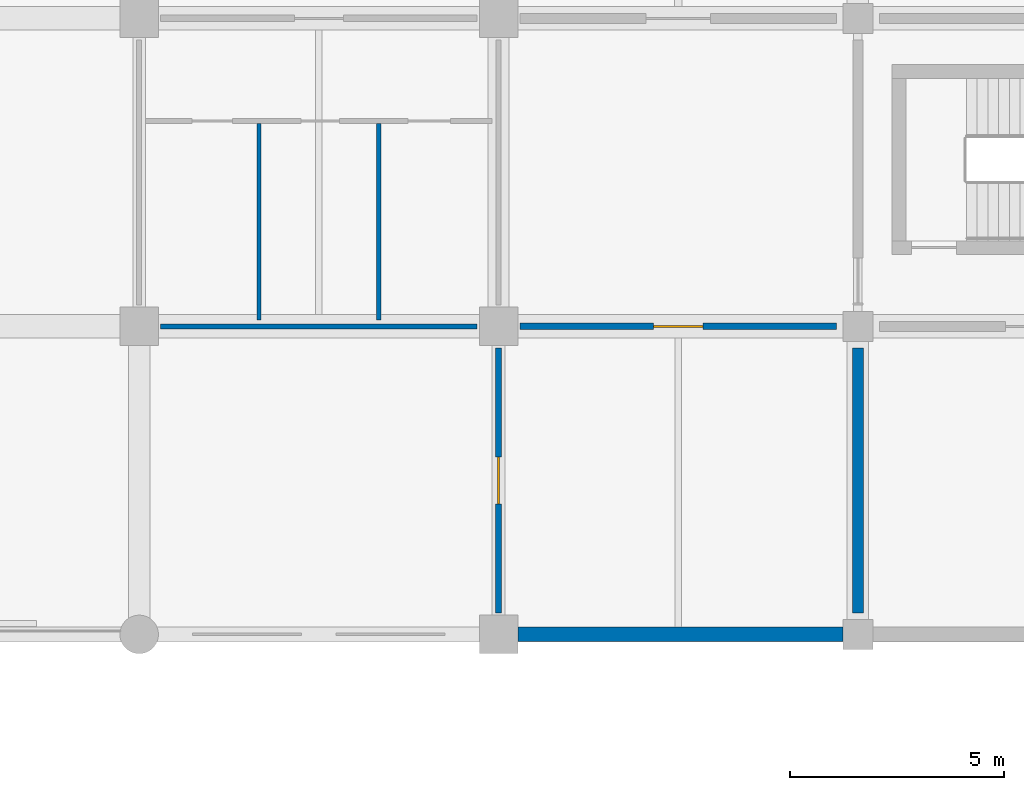
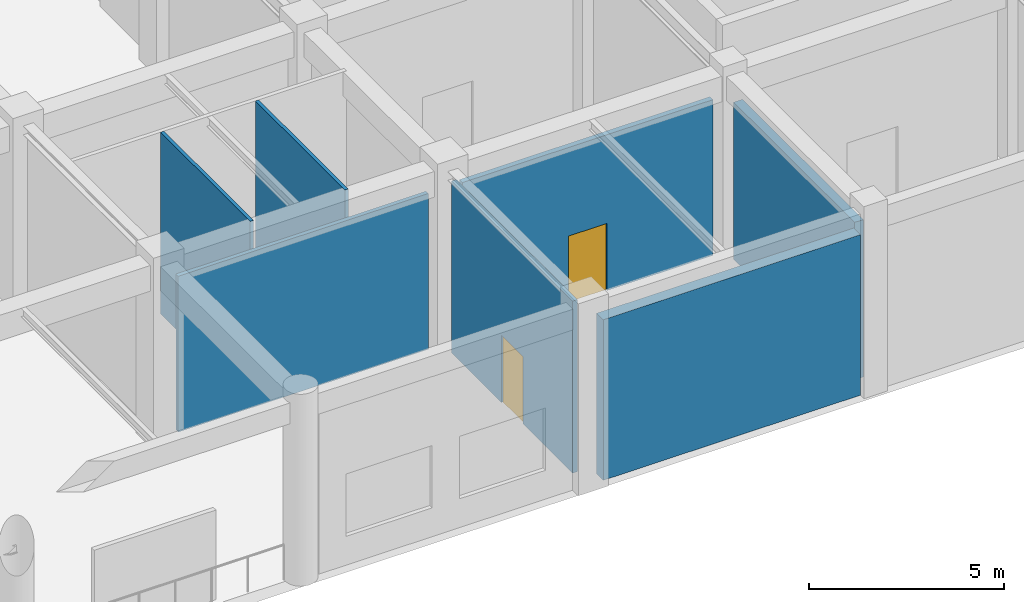
# One storey, part 18 of 39: 7 walls, 2 doors, 2 openings.
"""IFC4 building model written with IfcOpenShell, lengths in metres."""

from ifc_helpers import new_model, si_unit, derived_unit, direction, frame, frame_2d, origin, place, context, subcontext, project, spatial, rectangle, extrude, material, layer, layer_set, type_object, element, fill, save


model = new_model("IFC4")

# Units and contexts
model_context = context("Model", 3, precision=1e-05, world=origin(), true_north=direction((0.0, 1.0)))
body_context = subcontext(model_context, "Body", "Model", "MODEL_VIEW")
ifc_project = project(units=[si_unit("LENGTHUNIT", "METRE"), si_unit("AREAUNIT", "SQUARE_METRE"), si_unit("VOLUMEUNIT", "CUBIC_METRE"), si_unit("PLANEANGLEUNIT", "RADIAN"), si_unit("MASSUNIT", "GRAM", prefix="KILO"), derived_unit("THERMALTRANSMITTANCEUNIT", [(si_unit("MASSUNIT", "GRAM", prefix="KILO"), 1), (si_unit("TIMEUNIT", "SECOND"), -3), (si_unit("THERMODYNAMICTEMPERATUREUNIT", "KELVIN"), -1)])], contexts=[model_context])

# Site, building, storey
site_placement = place(None, origin())
site = spatial("IfcSite", under=ifc_project, at=site_placement, CompositionType="ELEMENT")
building_placement = place(site_placement, origin())
building = spatial("IfcBuilding", under=site, at=building_placement, Name="Veldstrom Oceanarium and Marine Research Institute", CompositionType="ELEMENT")
storey_placement = place(building_placement, origin())
storey = spatial("IfcBuildingStorey", under=building, at=storey_placement, Name="L00", CompositionType="ELEMENT", Elevation=0.0)

# Wall
ifc_material_1 = material(Name="Masonry Cavity Wall", Category="masonry")
ifc_layer_1 = layer(ifc_material_1, 0.340087890625)
ifc_layer_set_1 = layer_set([ifc_layer_1], Name="ARC-WAL-EW4")
wall_type_1 = type_object("IfcWallType", Name="ARC-WAL-EW4", PredefinedType="SOLIDWALL", material=ifc_layer_set_1)
wall_1_placement = place(storey_placement, frame((118.050048828125, 43.199951171875, 0.0), z_axis=(0.0, 0.0, 1.0), x_axis=(1.0, 0.0, 0.0)))
element("IfcWall", 1, at=wall_1_placement, inside=storey, type_object=wall_type_1, Name="Exterior Facade Wall EW4 L00-035", PredefinedType="SOLIDWALL", context=body_context, shape_type="SweptSolid", body=[
    extrude(rectangle(XDim=7.599853515625, YDim=0.340087890625, at=frame_2d((3.7998046875, 0.0))), origin(), (0.0, 0.0, 1.0), 5.02001953125),
])

# Wall, opening, door
ifc_material_2 = material(Name="Drywall Corridor Partition", Category="gypsum")
ifc_layer_2 = layer(ifc_material_2, 0.155029296875)
ifc_layer_set_2 = layer_set([ifc_layer_2], Name="ARC-WAL-PT4")
wall_type_2 = type_object("IfcWallType", Name="ARC-WAL-PT4", PredefinedType="PARTITIONING", material=ifc_layer_set_2)
wall_2_placement = place(storey_placement, frame((118.10009765625, 50.39990234375, 0.0), z_axis=(0.0, 0.0, 1.0), x_axis=(1.0, 0.0, 0.0)))
wall_2 = element("IfcWall", 2, at=wall_2_placement, inside=storey, type_object=wall_type_2, Name="Interior Partition PT4 L00-0725", PredefinedType="PARTITIONING", context=body_context, shape_type="SweptSolid", body=[
    extrude(rectangle(XDim=7.39990234375, YDim=0.155029296875, at=frame_2d((3.699951171875, 0.0))), origin(), (0.0, 0.0, 1.0), 4.8701171875),
])
opening_1_placement = place(wall_2_placement, frame((3.125, 0.0, 0.0)))
opening_1 = element("IfcOpeningElement", 3, at=opening_1_placement, cuts=wall_2, Name="Opening D-L00-419", PredefinedType="OPENING", context=body_context, shape_type="SweptSolid", body=[
    extrude(rectangle(XDim=1.14990234375, YDim=2.10009765625, at=frame_2d((0.574951171875, 1.050048828125))), frame((0.0, 0.08740234375, 0.0), z_axis=(0.0, -1.0, 0.0), x_axis=(1.0, 0.0, 0.0)), (0.0, 0.0, 1.0), 0.175048828125),
])
ifc_material_3 = material(Name="Fellows Studio Door", Category="timber")
door_type_1 = type_object("IfcDoorType", Name="ARC-DOR-ID17", OperationType="SINGLE_SWING_LEFT", PredefinedType="DOOR", material=ifc_material_3)
door_1_placement = place(opening_1_placement, frame((1.14990234375, 0.0, 0.0), z_axis=(0.0, 0.0, 1.0), x_axis=(-1.0, 0.0, 0.0)))
door_1 = element("IfcDoor", 4, at=door_1_placement, inside=storey, type_object=door_type_1, Name="Interior Door D-L00-419", OperationType="SINGLE_SWING_RIGHT", OverallHeight=2.10009765625, OverallWidth=1.14990234375, PredefinedType="DOOR", context=body_context, shape_type="SweptSolid", body=[
    extrude(rectangle(XDim=1.14990234375, YDim=2.10009765625, at=frame_2d((0.574951171875, 1.050048828125))), frame((0.0, 0.02490234375, 0.0), z_axis=(0.0, -1.0, 0.0), x_axis=(1.0, 0.0, 0.0)), (0.0, 0.0, 1.0), 0.050048828125),
])
fill(opening_1, door_1)

ifc_material_4 = material(Name="Moisture-Resistant Wet-Area Partition", Category="masonry")
ifc_layer_3 = layer(ifc_material_4, 0.139892578125)
ifc_layer_set_3 = layer_set([ifc_layer_3], Name="ARC-WAL-PT5")
wall_type_3 = type_object("IfcWallType", Name="ARC-WAL-PT5", PredefinedType="PARTITIONING", material=ifc_layer_set_3)
wall_3_placement = place(storey_placement, frame((117.60009765625, 43.699951171875, 0.0), z_axis=(0.0, 0.0, 1.0), x_axis=(0.0, 1.0, 0.0)))
wall_3 = element("IfcWall", 5, at=wall_3_placement, inside=storey, type_object=wall_type_3, Name="Interior Partition PT5 L00-0718", PredefinedType="PARTITIONING", context=body_context, shape_type="SweptSolid", body=[
    extrude(rectangle(XDim=6.199951171875, YDim=0.139892578125, at=frame_2d((3.10009765625, 0.0))), origin(), (0.0, 0.0, 1.0), 5.3798828125),
])
opening_2_placement = place(wall_3_placement, frame((2.550048828125, 0.0, 0.0)))
opening_2 = element("IfcOpeningElement", 6, at=opening_2_placement, cuts=wall_3, Name="Opening D-L00-416", PredefinedType="OPENING", context=body_context, shape_type="SweptSolid", body=[
    extrude(rectangle(XDim=1.10009765625, YDim=2.10009765625, at=frame_2d((0.550048828125, 1.050048828125))), frame((0.0, 0.079833984375, 0.0), z_axis=(0.0, -1.0, 0.0), x_axis=(1.0, 0.0, 0.0)), (0.0, 0.0, 1.0), 0.159912109375),
])
ifc_material_5 = material(Name="Research Office Door", Category="timber")
door_type_2 = type_object("IfcDoorType", Name="ARC-DOR-ID07", OperationType="SINGLE_SWING_LEFT", PredefinedType="DOOR", material=ifc_material_5)
door_2_placement = place(opening_2_placement, frame((1.10009765625, 0.0, 0.0), z_axis=(0.0, 0.0, 1.0), x_axis=(-1.0, 0.0, 0.0)))
door_2 = element("IfcDoor", 7, at=door_2_placement, inside=storey, type_object=door_type_2, Name="Interior Door D-L00-416", OperationType="SINGLE_SWING_LEFT", OverallHeight=2.10009765625, OverallWidth=1.10009765625, PredefinedType="DOOR", context=body_context, shape_type="SweptSolid", body=[
    extrude(rectangle(XDim=1.10009765625, YDim=2.10009765625, at=frame_2d((0.550048828125, 1.050048828125))), frame((0.0, 0.02490234375, 0.0), z_axis=(0.0, -1.0, 0.0), x_axis=(1.0, 0.0, 0.0)), (0.0, 0.0, 1.0), 0.050048828125),
])
fill(opening_2, door_2)

# Walls
ifc_material_6 = material(Name="Lightweight Studio Partition", Category="gypsum")
ifc_layer_4 = layer(ifc_material_6, 0.1201171875)
ifc_layer_set_4 = layer_set([ifc_layer_4], Name="ARC-WAL-PT6")
wall_type_4 = type_object("IfcWallType", Name="ARC-WAL-PT6", PredefinedType="PARTITIONING", material=ifc_layer_set_4)
wall_4_placement = place(storey_placement, frame((109.699951171875, 50.39990234375, 0.0), z_axis=(0.0, 0.0, 1.0), x_axis=(1.0, 0.0, 0.0)))
element("IfcWall", 8, at=wall_4_placement, inside=storey, type_object=wall_type_4, Name="Interior Partition PT6 L00-0719", PredefinedType="PARTITIONING", context=body_context, shape_type="SweptSolid", body=[
    extrude(rectangle(XDim=7.400146484375, YDim=0.1201171875, at=frame_2d((3.7001953125, 0.0))), origin(), (0.0, 0.0, 1.0), 4.8701171875),
])
ifc_material_7 = material(Name="Sanitary Cubicle Partition", Category="gypsum")
ifc_layer_5 = layer(ifc_material_7, 0.10009765625)
ifc_layer_set_5 = layer_set([ifc_layer_5], Name="ARC-WAL-PT7")
wall_type_5 = type_object("IfcWallType", Name="ARC-WAL-PT7", PredefinedType="PARTITIONING", material=ifc_layer_set_5)
for number, where, z_axis, x_axis, name in (
    (9, (112.0, 50.550048828125, 0.0), (0.0, 0.0, 1.0), (0.0, 1.0, 0.0), "Sanitary Stall Divider Wall L00-0566"),
    (10, (114.800048828125, 50.550048828125, 0.0), (0.0, 0.0, 1.0), (0.0, 1.0, 0.0), "Sanitary Stall Divider Wall L00-0567"),
):
    element("IfcWall", number, at=place(storey_placement, frame(where, z_axis=z_axis, x_axis=x_axis)), inside=storey, type_object=wall_type_5, Name=name, PredefinedType="PARTITIONING", context=body_context, shape_type="SweptSolid", body=[
        extrude(rectangle(XDim=4.58984375, YDim=0.10009765625, at=frame_2d((2.294921875, 0.0))), origin(), (0.0, 0.0, 1.0), 5.675048828125),
    ])
ifc_material_8 = material(Name="Plant Acoustic Masonry Wall", Category="masonry")
ifc_layer_6 = layer(ifc_material_8, 0.260009765625)
ifc_layer_set_6 = layer_set([ifc_layer_6], Name="ARC-WAL-PT8")
wall_type_6 = type_object("IfcWallType", Name="ARC-WAL-PT8", PredefinedType="PARTITIONING", material=ifc_layer_set_6)
wall_5_placement = place(storey_placement, frame((126.0, 43.699951171875, 0.0), z_axis=(0.0, 0.0, 1.0), x_axis=(0.0, 1.0, 0.0)))
element("IfcWall", 11, at=wall_5_placement, inside=storey, type_object=wall_type_6, Name="Interior Partition PT8 L00-0724", PredefinedType="PARTITIONING", context=body_context, shape_type="SweptSolid", body=[
    extrude(rectangle(XDim=6.199951171875, YDim=0.260009765625, at=frame_2d((3.10009765625, 0.0))), origin(), (0.0, 0.0, 1.0), 4.919921875),
])

save(model, "model.ifc")
